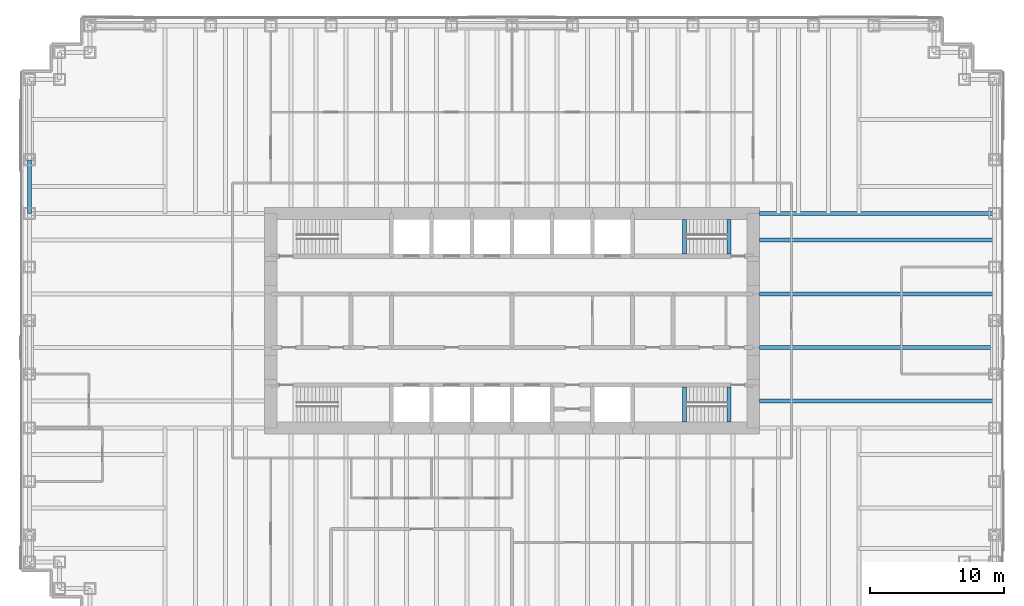
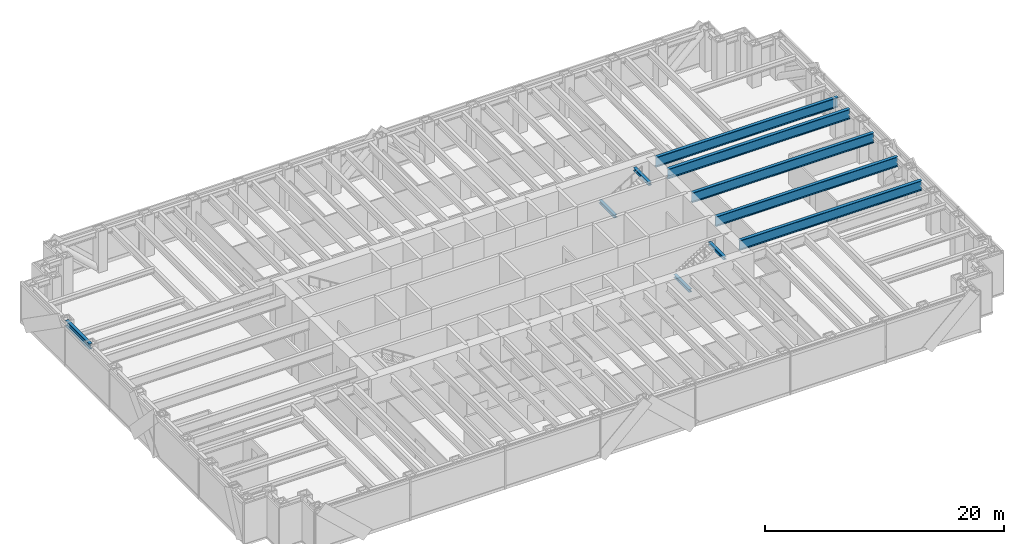
# One storey, part 5 of 17: 10 beams.
"""IFC4 building model written with IfcOpenShell, lengths in metres."""

import ifcopenshell
import ifcopenshell.guid

model = None  # the IFC model being written
_history = None  # IfcOwnerHistory: only IFC2X3 demands one
_inside = {}  # id of a spatial element -> (the spatial element, [elements in it])
_under = {}  # id of a project, library or spatial element -> (it, [spatial elements below it])
_declared = {}  # id of a project -> (the project, [libraries it declares])
_typed = {}  # id of a type object -> (the type object, [elements of that type])
_made_of = {}  # id of a material, layer set ... -> (it, [elements and type objects made of it])


def new_model(schema):
    """Start an empty IFC model of exactly this schema.

    Asked for "IFC4X3", IfcOpenShell would pick the latest addendum, in which some entities
    have other attributes; the version numbers below select the first issue.
    IFC2X3 requires an IfcOwnerHistory on every rooted entity: one is made here for all.
    """
    global model, _history
    if schema == "IFC4X3":
        model = ifcopenshell.file(schema_version=(4, 3, 0, 0))
    else:
        model = ifcopenshell.file(schema=schema)
    _inside.clear()
    _under.clear()
    _declared.clear()
    _typed.clear()
    _made_of.clear()
    _history = None
    if model.schema == "IFC2X3":
        org = make("IfcOrganization", Name="unknown")
        user = make(
            "IfcPersonAndOrganization",
            ThePerson=make("IfcPerson", FamilyName="unknown"),
            TheOrganization=org,
        )
        app = make(
            "IfcApplication",
            ApplicationDeveloper=org,
            Version="unknown",
            ApplicationFullName="unknown",
            ApplicationIdentifier="unknown",
        )
        _history = make(
            "IfcOwnerHistory",
            OwningUser=user,
            OwningApplication=app,
            ChangeAction="ADDED",
            CreationDate=0,
        )
    return model


def make(cls, **values):
    """One entity of the class cls with the attributes given. An attribute that is None is left unset."""
    return model.create_entity(
        cls, **{name: value for name, value in values.items() if value is not None}
    )


def rooted(cls, **values):
    """An entity with a GlobalId (a new one), such as an element, a storey or a relation."""
    return make(cls, GlobalId=ifcopenshell.guid.new(), OwnerHistory=_history, **values)


def si_unit(unit_type, name, prefix=None):
    """IfcSIUnit, for example si_unit("LENGTHUNIT", "METRE", prefix="MILLI")."""
    return make("IfcSIUnit", UnitType=unit_type, Prefix=prefix, Name=name)


def assignment(units):
    """IfcUnitAssignment: the units of a project."""
    return None if units is None else make("IfcUnitAssignment", Units=units)


def point(xyz):
    """IfcCartesianPoint."""
    return None if xyz is None else make("IfcCartesianPoint", Coordinates=xyz)


def direction(xyz):
    """IfcDirection."""
    return None if xyz is None else make("IfcDirection", DirectionRatios=xyz)


def frame(location, z_axis=None, x_axis=None):
    """IfcAxis2Placement3D, a coordinate frame: its origin and axes. An axis left out is left unset."""
    return make(
        "IfcAxis2Placement3D",
        Location=point(location),
        Axis=direction(z_axis),
        RefDirection=direction(x_axis),
    )


def frame_2d(location, x_axis=None):
    """IfcAxis2Placement2D, a coordinate frame in the plane: its origin and x axis."""
    return make(
        "IfcAxis2Placement2D", Location=point(location), RefDirection=direction(x_axis)
    )


def origin():
    """The frame at (0, 0, 0) with its axes left unset."""
    return frame((0.0, 0.0, 0.0))


def origin_2d():
    """The frame at (0, 0) in the plane with its x axis left unset."""
    return frame_2d((0.0, 0.0))


def place(relative_to, where):
    """IfcLocalPlacement: puts the frame where relative to a parent placement (None: the world)."""
    return make(
        "IfcLocalPlacement", PlacementRelTo=relative_to, RelativePlacement=where
    )


def context(
    kind, dimensions, precision=None, world=None, true_north=None, identifier=None
):
    """IfcGeometricRepresentationContext, for example the 3D "Model" context."""
    return make(
        "IfcGeometricRepresentationContext",
        ContextIdentifier=identifier,
        ContextType=kind,
        CoordinateSpaceDimension=dimensions,
        Precision=precision,
        WorldCoordinateSystem=world,
        TrueNorth=true_north,
    )


def subcontext(parent, identifier, kind, view, scale=None):
    """IfcGeometricRepresentationSubContext, for example "Body" below "Model"."""
    return make(
        "IfcGeometricRepresentationSubContext",
        ContextIdentifier=identifier,
        ContextType=kind,
        ParentContext=parent,
        TargetScale=scale,
        TargetView=view,
    )


def project(units=None, contexts=None):
    """IfcProject with its units and contexts."""
    return rooted(
        "IfcProject",
        Name="project",
        RepresentationContexts=contexts,
        UnitsInContext=assignment(units),
    )


def spatial(cls, under=None, at=None, **own):
    """A site, building, storey or space (cls), placed at a placement, below another one or the project."""
    s = rooted(cls, ObjectPlacement=at, **own)
    if under is not None:
        _under.setdefault(under.id(), (under, []))[1].append(s)
    return s


def profile(cls, at=None, kind="AREA", **sizes):
    """A parametric profile (cls). Its sizes go by their IFC names, for example OverallWidth=200.0."""
    return make(cls, ProfileType=kind, Position=at, **sizes)


def i_section(**sizes):
    """IfcIShapeProfileDef."""
    return profile("IfcIShapeProfileDef", **sizes)


def extrude(swept, where, along, depth):
    """IfcExtrudedAreaSolid: the profile swept, set in the frame where, extruded along a direction by depth."""
    return make(
        "IfcExtrudedAreaSolid",
        SweptArea=swept,
        Position=where,
        ExtrudedDirection=direction(along),
        Depth=depth,
    )


def shape(context_of_items, identifier, shape_type, items):
    """IfcShapeRepresentation: the items that make up one representation, for example the "Body"."""
    return make(
        "IfcShapeRepresentation",
        ContextOfItems=context_of_items,
        RepresentationIdentifier=identifier,
        RepresentationType=shape_type,
        Items=items,
    )


def material(Name=None, Category=None):
    """IfcMaterial."""
    return make("IfcMaterial", Name=Name, Category=Category)


def material_profile(
    of_material, cross_section, Name=None, Category=None, Priority=None
):
    """IfcMaterialProfile: a cross section and its material."""
    return make(
        "IfcMaterialProfile",
        Name=Name,
        Material=of_material,
        Profile=cross_section,
        Priority=Priority,
        Category=Category,
    )


def profile_set(profiles, Name=None, composite=None):
    """IfcMaterialProfileSet."""
    return make(
        "IfcMaterialProfileSet",
        Name=Name,
        MaterialProfiles=profiles,
        CompositeProfile=composite,
    )


def made_of(thing, what):
    """Note that an element or type object is made of a material, layer set ...; save() writes the relation."""
    if what is not None:
        _made_of.setdefault(what.id(), (what, []))[1].append(thing)
    return thing


def type_object(cls, material=None, **own):
    """A type object (cls), such as IfcWallType, which elements share."""
    return made_of(rooted(cls, **own), material)


def element(
    cls,
    number,
    at=None,
    inside=None,
    cuts=None,
    type_object=None,
    material=None,
    context=None,
    identifier="Body",
    shape_type=None,
    held_by="IfcProductDefinitionShape",
    body=None,
    shapes=None,
    **own,
):
    """One element of the class cls, such as IfcWall. Its Tag is "e" and its number.

    at: its placement. inside: the storey or other place that contains it. cuts: it is an
    opening in that element (IfcRelVoidsElement). A single representation is given by context,
    identifier, shape_type and body (its items); several are given by shapes. held_by: the class
    of the entity that holds the representations. save() writes the other relations.
    """
    e = rooted(cls, Tag="e%d" % number, ObjectPlacement=at, **own)
    if body is not None:
        shapes = [shape(context, identifier, shape_type, body)]
    if shapes is not None:
        e.Representation = make(held_by, Representations=shapes)
    if inside is not None:
        _inside.setdefault(inside.id(), (inside, []))[1].append(e)
    if cuts is not None:
        rooted(
            "IfcRelVoidsElement", RelatingBuildingElement=cuts, RelatedOpeningElement=e
        )
    if type_object is not None:
        _typed.setdefault(type_object.id(), (type_object, []))[1].append(e)
    return made_of(e, material)


def aggregate(whole, parts):
    """IfcRelAggregates: a whole, such as a stair, and the parts it consists of."""
    return rooted("IfcRelAggregates", RelatingObject=whole, RelatedObjects=parts)


def save(model, path):
    """Write the relations noted so far, then the file.

    IfcRelAggregates (storeys below a building ...), IfcRelContainedInSpatialStructure (elements
    in a storey), IfcRelDefinesByType, IfcRelAssociatesMaterial and IfcRelDeclares: one each for
    every whole, place, type object, material and project.
    """
    for whole, parts in _under.values():
        aggregate(whole, parts)
    for where, things in _inside.values():
        rooted(
            "IfcRelContainedInSpatialStructure",
            RelatedElements=things,
            RelatingStructure=where,
        )
    for kind, things in _typed.values():
        rooted("IfcRelDefinesByType", RelatedObjects=things, RelatingType=kind)
    for what, things in _made_of.values():
        rooted("IfcRelAssociatesMaterial", RelatedObjects=things, RelatingMaterial=what)
    for by, libraries in _declared.values():
        rooted("IfcRelDeclares", RelatingContext=by, RelatedDefinitions=libraries)
    model.write(path)


model = new_model("IFC4")

# Units and contexts
model_context = context("Model", 3, precision=1e-05, world=origin(), true_north=direction((0.0, 1.0)))
body_context = subcontext(model_context, "Body", "Model", "MODEL_VIEW")
ifc_project = project(units=[si_unit("LENGTHUNIT", "METRE"), si_unit("AREAUNIT", "SQUARE_METRE"), si_unit("VOLUMEUNIT", "CUBIC_METRE"), si_unit("PLANEANGLEUNIT", "RADIAN"), si_unit("MASSUNIT", "GRAM", prefix="KILO")], contexts=[model_context])

# Site, building, storey
site_placement = place(None, origin())
site = spatial("IfcSite", under=ifc_project, at=site_placement, CompositionType="ELEMENT")
building_placement = place(site_placement, origin())
building = spatial("IfcBuilding", under=site, at=building_placement, Name="Rheinbord Bourse Tower", CompositionType="ELEMENT")
storey_placement = place(building_placement, frame((0.0, 0.0, 121.5)))
storey = spatial("IfcBuildingStorey", under=building, at=storey_placement, Name="L26", CompositionType="ELEMENT", Elevation=121.5)

# Beams
ifc_material_1 = material(Name="Steel S460", Category="steel")
ifc_material_profile_1 = material_profile(ifc_material_1, i_section(OverallWidth=0.302001953125, OverallDepth=1.008056640625, WebThickness=0.02099609375, FlangeThickness=0.0400390625, at=origin_2d()), Name="HEM 1000")
ifc_profile_set_1 = profile_set([ifc_material_profile_1], Name="Steel S460")
beam_type_1 = type_object("IfcBeamType", Name="END BEAM HEM 1000", PredefinedType="BEAM", material=ifc_profile_set_1)
for number, where, z_axis, x_axis, name in (
    (1, (54.449951171875, 18.0, 3.535888671875), (1.0, 0.0, 0.0), (0.0, 1.0, 0.0), "End beam east 18 L27"),
    (2, (54.449951171875, 22.0, 3.535888671875), (1.0, 0.0, 0.0), (0.0, 1.0, 0.0), "End beam east 22 L27"),
    (3, (54.449951171875, 26.0, 3.535888671875), (1.0, 0.0, 0.0), (0.0, 1.0, 0.0), "End beam east 26 L27"),
    (4, (54.449951171875, 30.0, 3.535888671875), (1.0, 0.0, 0.0), (0.0, 1.0, 0.0), "End beam east 30 L27"),
):
    element("IfcBeam", number, at=place(storey_placement, frame(where, z_axis=z_axis, x_axis=x_axis)), inside=storey, type_object=beam_type_1, Name=name, PredefinedType="BEAM", context=body_context, shape_type="SweptSolid", body=[
        extrude(i_section(OverallWidth=0.302001953125, OverallDepth=1.008056640625, WebThickness=0.02099609375, FlangeThickness=0.0400390625, at=origin_2d()), origin(), (0.0, 0.0, 1.0), 17.550048828125),
    ])
ifc_material_2 = material(Name="Steel S460", Category="steel")
ifc_material_profile_2 = material_profile(ifc_material_2, i_section(OverallWidth=0.302001953125, OverallDepth=1.008056640625, WebThickness=0.02099609375, FlangeThickness=0.0400390625, at=origin_2d()), Name="HEM 1000")
ifc_profile_set_2 = profile_set([ifc_material_profile_2], Name="Steel S460")
beam_type_2 = type_object("IfcBeamType", Name="GIRDER HEM 1000", PredefinedType="BEAM", material=ifc_profile_set_2)
beam_1_placement = place(storey_placement, frame((54.449951171875, 32.0, 3.535888671875), z_axis=(1.0, 0.0, 0.0), x_axis=(0.0, 1.0, 0.0)))
element("IfcBeam", 5, at=beam_1_placement, inside=storey, type_object=beam_type_2, Name="Girder east 32 L27", PredefinedType="BEAM", context=body_context, shape_type="SweptSolid", body=[
    extrude(i_section(OverallWidth=0.302001953125, OverallDepth=1.008056640625, WebThickness=0.02099609375, FlangeThickness=0.0400390625, at=origin_2d()), origin(), (0.0, 0.0, 1.0), 17.550048828125),
])
ifc_material_3 = material(Name="Steel S460", Category="steel")
ifc_material_profile_3 = material_profile(ifc_material_3, i_section(OverallWidth=0.300048828125, OverallDepth=0.300048828125, WebThickness=0.010986328125, FlangeThickness=0.01904296875, at=origin_2d()), Name="HEB 300")
ifc_profile_set_3 = profile_set([ifc_material_profile_3], Name="Steel S460")
beam_type_3 = type_object("IfcBeamType", Name="LANDING TRIMMER HEB 300", PredefinedType="BEAM", material=ifc_profile_set_3)
for number, where, z_axis, x_axis, name in (
    (6, (48.8701171875, 16.449951171875, 1.75), (0.0, 1.0, 0.0), (-1.0, 0.0, 0.0), "Landing trimmer ST3 L26"),
    (7, (52.199951171875, 16.449951171875, 3.889892578125), (0.0, 1.0, 0.0), (-1.0, 0.0, 0.0), "Well trimmer ST3 under L27"),
    (8, (48.8701171875, 28.949951171875, 1.75), (0.0, 1.0, 0.0), (-1.0, 0.0, 0.0), "Landing trimmer ST4 L26"),
    (9, (52.199951171875, 28.949951171875, 3.889892578125), (0.0, 1.0, 0.0), (-1.0, 0.0, 0.0), "Well trimmer ST4 under L27"),
):
    element("IfcBeam", number, at=place(storey_placement, frame(where, z_axis=z_axis, x_axis=x_axis)), inside=storey, type_object=beam_type_3, Name=name, PredefinedType="BEAM", context=body_context, shape_type="SweptSolid", body=[
        extrude(i_section(OverallWidth=0.300048828125, OverallDepth=0.300048828125, WebThickness=0.010986328125, FlangeThickness=0.01904296875, at=origin_2d()), origin(), (0.0, 0.0, 1.0), 2.60009765625),
    ])
ifc_material_4 = material(Name="Steel S460", Category="steel")
ifc_material_profile_4 = material_profile(ifc_material_4, i_section(OverallWidth=0.305908203125, OverallDepth=0.572021484375, WebThickness=0.02099609375, FlangeThickness=0.0400390625, at=origin_2d()), Name="HEM 550")
ifc_profile_set_4 = profile_set([ifc_material_profile_4], Name="Steel S460")
beam_type_4 = type_object("IfcBeamType", Name="SPANDREL HEM 550", PredefinedType="SPANDREL", material=ifc_profile_set_4)
beam_2_placement = place(storey_placement, frame((0.0, 36.0, 3.75390625), z_axis=(0.0, -1.0, 0.0), x_axis=(1.0, 0.0, 0.0)))
element("IfcBeam", 10, at=beam_2_placement, inside=storey, type_object=beam_type_4, Name="Spandrel W-36-W-32 under L27", PredefinedType="SPANDREL", context=body_context, shape_type="SweptSolid", body=[
    extrude(i_section(OverallWidth=0.305908203125, OverallDepth=0.572021484375, WebThickness=0.02099609375, FlangeThickness=0.0400390625, at=origin_2d()), origin(), (0.0, 0.0, 1.0), 4.0),
])

save(model, "model.ifc")
